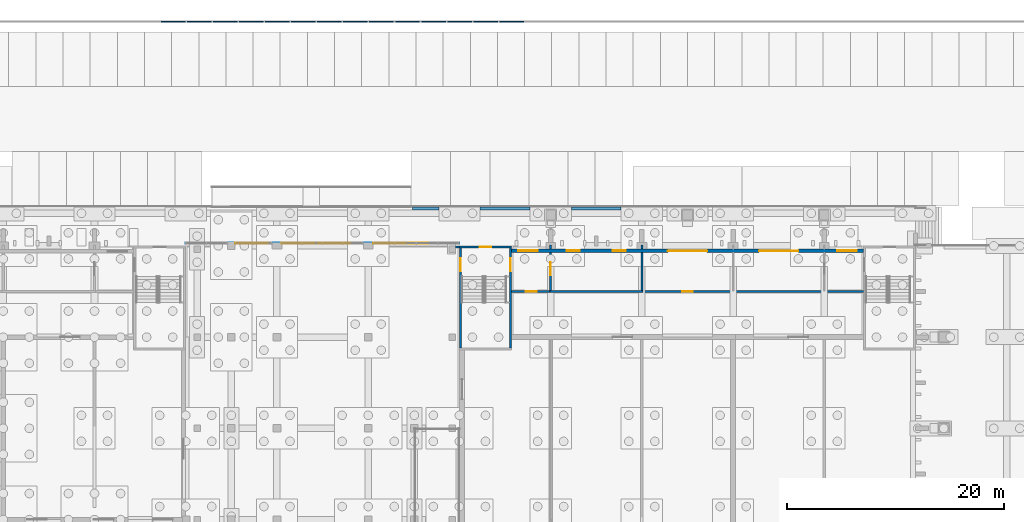
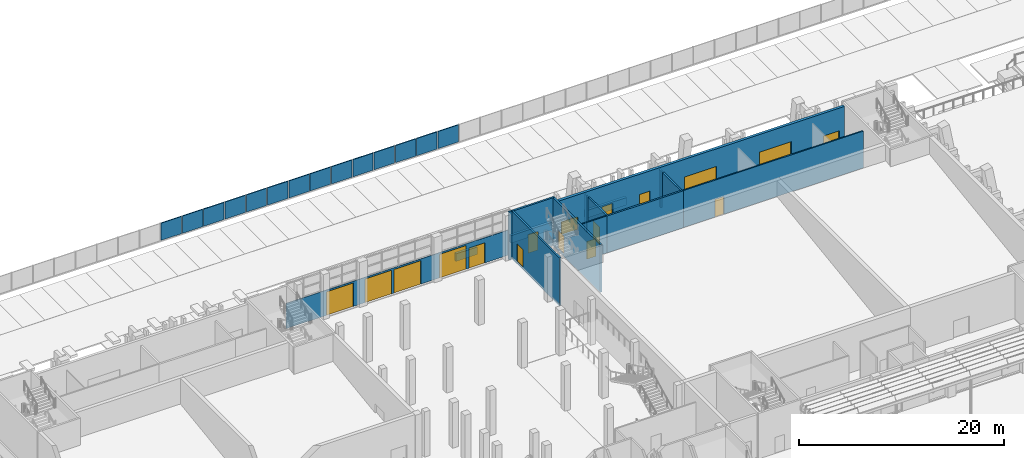
# One storey, part 51 of 129: 30 walls, 13 doors, 4 windows, 17 openings.
"""IFC4 building model written with IfcOpenShell, lengths in metres."""

import ifcopenshell
import ifcopenshell.guid

model = None  # the IFC model being written
_history = None  # IfcOwnerHistory: only IFC2X3 demands one
_inside = {}  # id of a spatial element -> (the spatial element, [elements in it])
_under = {}  # id of a project, library or spatial element -> (it, [spatial elements below it])
_declared = {}  # id of a project -> (the project, [libraries it declares])
_typed = {}  # id of a type object -> (the type object, [elements of that type])
_made_of = {}  # id of a material, layer set ... -> (it, [elements and type objects made of it])


def new_model(schema):
    """Start an empty IFC model of exactly this schema.

    Asked for "IFC4X3", IfcOpenShell would pick the latest addendum, in which some entities
    have other attributes; the version numbers below select the first issue.
    IFC2X3 requires an IfcOwnerHistory on every rooted entity: one is made here for all.
    """
    global model, _history
    if schema == "IFC4X3":
        model = ifcopenshell.file(schema_version=(4, 3, 0, 0))
    else:
        model = ifcopenshell.file(schema=schema)
    _inside.clear()
    _under.clear()
    _declared.clear()
    _typed.clear()
    _made_of.clear()
    _history = None
    if model.schema == "IFC2X3":
        org = make("IfcOrganization", Name="unknown")
        user = make(
            "IfcPersonAndOrganization",
            ThePerson=make("IfcPerson", FamilyName="unknown"),
            TheOrganization=org,
        )
        app = make(
            "IfcApplication",
            ApplicationDeveloper=org,
            Version="unknown",
            ApplicationFullName="unknown",
            ApplicationIdentifier="unknown",
        )
        _history = make(
            "IfcOwnerHistory",
            OwningUser=user,
            OwningApplication=app,
            ChangeAction="ADDED",
            CreationDate=0,
        )
    return model


def make(cls, **values):
    """One entity of the class cls with the attributes given. An attribute that is None is left unset."""
    return model.create_entity(
        cls, **{name: value for name, value in values.items() if value is not None}
    )


def rooted(cls, **values):
    """An entity with a GlobalId (a new one), such as an element, a storey or a relation."""
    return make(cls, GlobalId=ifcopenshell.guid.new(), OwnerHistory=_history, **values)


def si_unit(unit_type, name, prefix=None):
    """IfcSIUnit, for example si_unit("LENGTHUNIT", "METRE", prefix="MILLI")."""
    return make("IfcSIUnit", UnitType=unit_type, Prefix=prefix, Name=name)


def assignment(units):
    """IfcUnitAssignment: the units of a project."""
    return None if units is None else make("IfcUnitAssignment", Units=units)


def point(xyz):
    """IfcCartesianPoint."""
    return None if xyz is None else make("IfcCartesianPoint", Coordinates=xyz)


def direction(xyz):
    """IfcDirection."""
    return None if xyz is None else make("IfcDirection", DirectionRatios=xyz)


def frame(location, z_axis=None, x_axis=None):
    """IfcAxis2Placement3D, a coordinate frame: its origin and axes. An axis left out is left unset."""
    return make(
        "IfcAxis2Placement3D",
        Location=point(location),
        Axis=direction(z_axis),
        RefDirection=direction(x_axis),
    )


def frame_2d(location, x_axis=None):
    """IfcAxis2Placement2D, a coordinate frame in the plane: its origin and x axis."""
    return make(
        "IfcAxis2Placement2D", Location=point(location), RefDirection=direction(x_axis)
    )


def origin():
    """The frame at (0, 0, 0) with its axes left unset."""
    return frame((0.0, 0.0, 0.0))


def place(relative_to, where):
    """IfcLocalPlacement: puts the frame where relative to a parent placement (None: the world)."""
    return make(
        "IfcLocalPlacement", PlacementRelTo=relative_to, RelativePlacement=where
    )


def context(
    kind, dimensions, precision=None, world=None, true_north=None, identifier=None
):
    """IfcGeometricRepresentationContext, for example the 3D "Model" context."""
    return make(
        "IfcGeometricRepresentationContext",
        ContextIdentifier=identifier,
        ContextType=kind,
        CoordinateSpaceDimension=dimensions,
        Precision=precision,
        WorldCoordinateSystem=world,
        TrueNorth=true_north,
    )


def subcontext(parent, identifier, kind, view, scale=None):
    """IfcGeometricRepresentationSubContext, for example "Body" below "Model"."""
    return make(
        "IfcGeometricRepresentationSubContext",
        ContextIdentifier=identifier,
        ContextType=kind,
        ParentContext=parent,
        TargetScale=scale,
        TargetView=view,
    )


def project(units=None, contexts=None):
    """IfcProject with its units and contexts."""
    return rooted(
        "IfcProject",
        Name="project",
        RepresentationContexts=contexts,
        UnitsInContext=assignment(units),
    )


def spatial(cls, under=None, at=None, **own):
    """A site, building, storey or space (cls), placed at a placement, below another one or the project."""
    s = rooted(cls, ObjectPlacement=at, **own)
    if under is not None:
        _under.setdefault(under.id(), (under, []))[1].append(s)
    return s


def profile(cls, at=None, kind="AREA", **sizes):
    """A parametric profile (cls). Its sizes go by their IFC names, for example OverallWidth=200.0."""
    return make(cls, ProfileType=kind, Position=at, **sizes)


def rectangle(**sizes):
    """IfcRectangleProfileDef."""
    return profile("IfcRectangleProfileDef", **sizes)


def extrude(swept, where, along, depth):
    """IfcExtrudedAreaSolid: the profile swept, set in the frame where, extruded along a direction by depth."""
    return make(
        "IfcExtrudedAreaSolid",
        SweptArea=swept,
        Position=where,
        ExtrudedDirection=direction(along),
        Depth=depth,
    )


def shape(context_of_items, identifier, shape_type, items):
    """IfcShapeRepresentation: the items that make up one representation, for example the "Body"."""
    return make(
        "IfcShapeRepresentation",
        ContextOfItems=context_of_items,
        RepresentationIdentifier=identifier,
        RepresentationType=shape_type,
        Items=items,
    )


def material(Name=None, Category=None):
    """IfcMaterial."""
    return make("IfcMaterial", Name=Name, Category=Category)


def layer(
    of_material, thickness, ventilated=None, Name=None, Category=None, Priority=None
):
    """IfcMaterialLayer: one layer of a wall or slab, of a material (None: an air gap)."""
    return make(
        "IfcMaterialLayer",
        Material=of_material,
        LayerThickness=thickness,
        IsVentilated=ventilated,
        Name=Name,
        Category=Category,
        Priority=Priority,
    )


def layer_set(layers, Name=None):
    """IfcMaterialLayerSet."""
    return make("IfcMaterialLayerSet", MaterialLayers=layers, LayerSetName=Name)


def made_of(thing, what):
    """Note that an element or type object is made of a material, layer set ...; save() writes the relation."""
    if what is not None:
        _made_of.setdefault(what.id(), (what, []))[1].append(thing)
    return thing


def type_object(cls, material=None, **own):
    """A type object (cls), such as IfcWallType, which elements share."""
    return made_of(rooted(cls, **own), material)


def element(
    cls,
    number,
    at=None,
    inside=None,
    cuts=None,
    type_object=None,
    material=None,
    context=None,
    identifier="Body",
    shape_type=None,
    held_by="IfcProductDefinitionShape",
    body=None,
    shapes=None,
    **own,
):
    """One element of the class cls, such as IfcWall. Its Tag is "e" and its number.

    at: its placement. inside: the storey or other place that contains it. cuts: it is an
    opening in that element (IfcRelVoidsElement). A single representation is given by context,
    identifier, shape_type and body (its items); several are given by shapes. held_by: the class
    of the entity that holds the representations. save() writes the other relations.
    """
    e = rooted(cls, Tag="e%d" % number, ObjectPlacement=at, **own)
    if body is not None:
        shapes = [shape(context, identifier, shape_type, body)]
    if shapes is not None:
        e.Representation = make(held_by, Representations=shapes)
    if inside is not None:
        _inside.setdefault(inside.id(), (inside, []))[1].append(e)
    if cuts is not None:
        rooted(
            "IfcRelVoidsElement", RelatingBuildingElement=cuts, RelatedOpeningElement=e
        )
    if type_object is not None:
        _typed.setdefault(type_object.id(), (type_object, []))[1].append(e)
    return made_of(e, material)


def fill(opening, filler):
    """IfcRelFillsElement: the door or window that sits in an opening."""
    return rooted(
        "IfcRelFillsElement",
        RelatingOpeningElement=opening,
        RelatedBuildingElement=filler,
    )


def aggregate(whole, parts):
    """IfcRelAggregates: a whole, such as a stair, and the parts it consists of."""
    return rooted("IfcRelAggregates", RelatingObject=whole, RelatedObjects=parts)


def save(model, path):
    """Write the relations noted so far, then the file.

    IfcRelAggregates (storeys below a building ...), IfcRelContainedInSpatialStructure (elements
    in a storey), IfcRelDefinesByType, IfcRelAssociatesMaterial and IfcRelDeclares: one each for
    every whole, place, type object, material and project.
    """
    for whole, parts in _under.values():
        aggregate(whole, parts)
    for where, things in _inside.values():
        rooted(
            "IfcRelContainedInSpatialStructure",
            RelatedElements=things,
            RelatingStructure=where,
        )
    for kind, things in _typed.values():
        rooted("IfcRelDefinesByType", RelatedObjects=things, RelatingType=kind)
    for what, things in _made_of.values():
        rooted("IfcRelAssociatesMaterial", RelatedObjects=things, RelatingMaterial=what)
    for by, libraries in _declared.values():
        rooted("IfcRelDeclares", RelatingContext=by, RelatedDefinitions=libraries)
    model.write(path)


model = new_model("IFC4")

# Units and contexts
model_context = context("Model", 3, precision=1e-05, world=origin(), true_north=direction((0.0, 1.0)))
body_context = subcontext(model_context, "Body", "Model", "MODEL_VIEW")
ifc_project = project(units=[si_unit("LENGTHUNIT", "METRE"), si_unit("AREAUNIT", "SQUARE_METRE"), si_unit("VOLUMEUNIT", "CUBIC_METRE"), si_unit("PLANEANGLEUNIT", "RADIAN"), si_unit("MASSUNIT", "GRAM", prefix="KILO")], contexts=[model_context])

# Site, building, storey
site_placement = place(None, origin())
site = spatial("IfcSite", under=ifc_project, at=site_placement, CompositionType="ELEMENT")
building_placement = place(site_placement, origin())
building = spatial("IfcBuilding", under=site, at=building_placement, Name="Kiln Court Media Centre", CompositionType="ELEMENT")
storey_placement = place(building_placement, origin())
storey = spatial("IfcBuildingStorey", under=building, at=storey_placement, Name="L00", CompositionType="ELEMENT", Elevation=0.0)

# Wall
ifc_material_1 = material(Name="Concrete block masonry M10", Category="masonry")
ifc_layer_1 = layer(ifc_material_1, 0.199951171875)
ifc_layer_set_1 = layer_set([ifc_layer_1], Name="Block plant room wall 200 EI 120")
wall_type_1 = type_object("IfcWallType", Name="Block plant room wall 200 EI 120", PredefinedType="SOLIDWALL", material=ifc_layer_set_1)
wall_1_placement = place(storey_placement, frame((67.10009765625, 63.0, 0.0), z_axis=(0.0, 0.0, 1.0), x_axis=(1.0, 0.0, 0.0)))
element("IfcWall", 1, at=wall_1_placement, inside=storey, type_object=wall_type_1, Name="L00 block plant room wall", PredefinedType="SOLIDWALL", context=body_context, shape_type="SweptSolid", body=[
    extrude(rectangle(XDim=8.599853515625, YDim=0.199951171875, at=frame_2d((4.2998046875, 0.0))), origin(), (0.0, 0.0, 1.0), 4.39990234375),
])

# Wall, opening, door
wall_2_placement = place(storey_placement, frame((67.199951171875, 63.10009765625, 0.0), z_axis=(0.0, 0.0, 1.0), x_axis=(0.0, 1.0, 0.0)))
wall_2 = element("IfcWall", 2, at=wall_2_placement, inside=storey, type_object=wall_type_1, Name="L00 block plant room wall", PredefinedType="SOLIDWALL", context=body_context, shape_type="SweptSolid", body=[
    extrude(rectangle(XDim=3.5, YDim=0.199951171875, at=frame_2d((1.75, 0.0))), origin(), (0.0, 0.0, 1.0), 4.39990234375),
])
opening_1_placement = place(wall_2_placement, frame((1.39990234375, 0.0, 0.0)))
opening_1 = element("IfcOpeningElement", 3, at=opening_1_placement, cuts=wall_2, Name="Opening D0030", PredefinedType="OPENING", context=body_context, shape_type="SweptSolid", body=[
    extrude(rectangle(XDim=1.199951171875, YDim=2.10009765625, at=frame_2d((0.60009765625, 1.050048828125))), frame((0.0, 0.10986328125, 0.0), z_axis=(0.0, -1.0, 0.0), x_axis=(1.0, 0.0, 0.0)), (0.0, 0.0, 1.0), 0.219970703125),
])
ifc_material_2 = material(Name="Steel S275", Category="steel")
door_type_1 = type_object("IfcDoorType", Name="Steel plant door 1200 x 2100 FD180", OperationType="SINGLE_SWING_LEFT", PredefinedType="DOOR", material=ifc_material_2)
door_1_placement = place(opening_1_placement, origin())
door_1 = element("IfcDoor", 4, at=door_1_placement, inside=storey, type_object=door_type_1, Name="Cinema Manager Room / Cinema Plant Room", OperationType="SINGLE_SWING_LEFT", OverallHeight=2.10009765625, OverallWidth=1.199951171875, PredefinedType="DOOR", context=body_context, shape_type="SweptSolid", body=[
    extrude(rectangle(XDim=1.199951171875, YDim=2.10009765625, at=frame_2d((0.60009765625, 1.050048828125))), frame((0.0, 0.02490234375, 0.0), z_axis=(0.0, -1.0, 0.0), x_axis=(1.0, 0.0, 0.0)), (0.0, 0.0, 1.0), 0.050048828125),
])
fill(opening_1, door_1)

# Walls
wall_3_placement = place(storey_placement, frame((67.199951171875, 66.89990234375, 0.0), z_axis=(0.0, 0.0, 1.0), x_axis=(0.0, 1.0, 0.0)))
element("IfcWall", 5, at=wall_3_placement, inside=storey, type_object=wall_type_1, Name="L00 block plant room wall", PredefinedType="SOLIDWALL", context=body_context, shape_type="SweptSolid", body=[
    extrude(rectangle(XDim=0.400146484375, YDim=0.199951171875, at=frame_2d((0.2001953125, 0.0))), origin(), (0.0, 0.0, 1.0), 4.39990234375),
])
wall_4_placement = place(storey_placement, frame((75.60009765625, 63.10009765625, 0.0), z_axis=(0.0, 0.0, 1.0), x_axis=(0.0, 1.0, 0.0)))
element("IfcWall", 6, at=wall_4_placement, inside=storey, type_object=wall_type_1, Name="L00 block plant room wall", PredefinedType="SOLIDWALL", context=body_context, shape_type="SweptSolid", body=[
    extrude(rectangle(XDim=3.5, YDim=0.199951171875, at=frame_2d((1.75, 0.0))), origin(), (0.0, 0.0, 1.0), 4.39990234375),
])
wall_5_placement = place(storey_placement, frame((75.60009765625, 66.89990234375, 0.0), z_axis=(0.0, 0.0, 1.0), x_axis=(0.0, 1.0, 0.0)))
element("IfcWall", 7, at=wall_5_placement, inside=storey, type_object=wall_type_1, Name="L00 block plant room wall", PredefinedType="SOLIDWALL", context=body_context, shape_type="SweptSolid", body=[
    extrude(rectangle(XDim=0.400146484375, YDim=0.199951171875, at=frame_2d((0.2001953125, 0.0))), origin(), (0.0, 0.0, 1.0), 4.39990234375),
])
ifc_material_3 = material(Name="Concrete C30/37", Category="concrete")
ifc_layer_2 = layer(ifc_material_3, 0.300048828125)
ifc_layer_set_2 = layer_set([ifc_layer_2], Name="Concrete C30/37 plinth wall 300")
wall_type_2 = type_object("IfcWallType", Name="Concrete C30/37 plinth wall 300", PredefinedType="SOLIDWALL", material=ifc_layer_set_2)
wall_6_placement = place(storey_placement, frame((54.5, 70.64990234375, -1.199951171875), z_axis=(0.0, 0.0, 1.0), x_axis=(1.0, 0.0, 0.0)))
element("IfcWall", 8, at=wall_6_placement, inside=storey, type_object=wall_type_2, Name="L00-W-1205", PredefinedType="SOLIDWALL", context=body_context, shape_type="SweptSolid", body=[
    extrude(rectangle(XDim=2.39990234375, YDim=0.300048828125, at=frame_2d((1.199951171875, 0.0))), origin(), (0.0, 0.0, 1.0), 0.89990234375),
])
wall_7_placement = place(storey_placement, frame((60.699951171875, 70.64990234375, -1.199951171875), z_axis=(0.0, 0.0, 1.0), x_axis=(1.0, 0.0, 0.0)))
element("IfcWall", 9, at=wall_7_placement, inside=storey, type_object=wall_type_2, Name="L00-W-1206", PredefinedType="SOLIDWALL", context=body_context, shape_type="SweptSolid", body=[
    extrude(rectangle(XDim=4.60009765625, YDim=0.300048828125, at=frame_2d((2.300048828125, 0.0))), origin(), (0.0, 0.0, 1.0), 0.89990234375),
])
wall_8_placement = place(storey_placement, frame((69.10009765625, 70.64990234375, -1.199951171875), z_axis=(0.0, 0.0, 1.0), x_axis=(1.0, 0.0, 0.0)))
element("IfcWall", 10, at=wall_8_placement, inside=storey, type_object=wall_type_2, Name="L00-W-1207", PredefinedType="SOLIDWALL", context=body_context, shape_type="SweptSolid", body=[
    extrude(rectangle(XDim=4.599853515625, YDim=0.300048828125, at=frame_2d((2.2998046875, 0.0))), origin(), (0.0, 0.0, 1.0), 0.89990234375),
])

# Wall, openings, windows, doors
ifc_material_4 = material(Name="Concrete C40/50", Category="concrete")
ifc_layer_3 = layer(ifc_material_4, 0.300048828125)
ifc_layer_set_3 = layer_set([ifc_layer_3], Name="Concrete C40/50 board-marked facade wall 300")
wall_type_3 = type_object("IfcWallType", Name="Concrete C40/50 board-marked facade wall 300", PredefinedType="SOLIDWALL", material=ifc_layer_set_3)
wall_9_placement = place(storey_placement, frame((63.60009765625, 66.75, 0.0), z_axis=(0.0, 0.0, 1.0), x_axis=(1.0, 0.0, 0.0)))
wall_9 = element("IfcWall", 11, at=wall_9_placement, inside=storey, type_object=wall_type_3, Name="V1 N facade wall 4005", PredefinedType="SOLIDWALL", context=body_context, shape_type="SweptSolid", body=[
    extrude(rectangle(XDim=32.39990234375, YDim=0.300048828125, at=frame_2d((16.199951171875, 0.0))), origin(), (0.0, 0.0, 1.0), 5.10009765625),
])
opening_2_placement = place(wall_9_placement, frame((14.39990234375, 0.0, 0.0)))
opening_2 = element("IfcOpeningElement", 12, at=opening_2_placement, cuts=wall_9, Name="Opening D0765", PredefinedType="OPENING", context=body_context, shape_type="SweptSolid", body=[
    extrude(rectangle(XDim=3.60009765625, YDim=3.0, at=frame_2d((1.800048828125, 1.5))), frame((0.0, 0.159912109375, 0.0), z_axis=(0.0, -1.0, 0.0), x_axis=(1.0, 0.0, 0.0)), (0.0, 0.0, 1.0), 0.320068359375),
])
opening_3_placement = place(wall_9_placement, frame((22.800048828125, 0.0, 0.0)))
opening_3 = element("IfcOpeningElement", 13, at=opening_3_placement, cuts=wall_9, Name="Opening D0766", PredefinedType="OPENING", context=body_context, shape_type="SweptSolid", body=[
    extrude(rectangle(XDim=3.60009765625, YDim=3.0, at=frame_2d((1.800048828125, 1.5))), frame((0.0, 0.159912109375, 0.0), z_axis=(0.0, -1.0, 0.0), x_axis=(1.0, 0.0, 0.0)), (0.0, 0.0, 1.0), 0.320068359375),
])
opening_4_placement = place(wall_9_placement, frame((0.60009765625, 0.0, 0.89990234375)))
opening_4 = element("IfcOpeningElement", 14, at=opening_4_placement, cuts=wall_9, Name="Opening WN0500", PredefinedType="OPENING", context=body_context, shape_type="SweptSolid", body=[
    extrude(rectangle(XDim=1.800048828125, YDim=1.5, at=frame_2d((0.89990234375, 0.75))), frame((0.0, 0.159912109375, 0.0), z_axis=(0.0, -1.0, 0.0), x_axis=(1.0, 0.0, 0.0)), (0.0, 0.0, 1.0), 0.320068359375),
])
opening_5_placement = place(wall_9_placement, frame((5.10009765625, 0.0, 0.89990234375)))
opening_5 = element("IfcOpeningElement", 15, at=opening_5_placement, cuts=wall_9, Name="Opening WN0501", PredefinedType="OPENING", context=body_context, shape_type="SweptSolid", body=[
    extrude(rectangle(XDim=1.199951171875, YDim=1.800048828125, at=frame_2d((0.60009765625, 0.89990234375))), frame((0.0, 0.159912109375, 0.0), z_axis=(0.0, -1.0, 0.0), x_axis=(1.0, 0.0, 0.0)), (0.0, 0.0, 1.0), 0.320068359375),
])
opening_6_placement = place(wall_9_placement, frame((9.300048828125, 0.0, 0.89990234375)))
opening_6 = element("IfcOpeningElement", 16, at=opening_6_placement, cuts=wall_9, Name="Opening WN0502", PredefinedType="OPENING", context=body_context, shape_type="SweptSolid", body=[
    extrude(rectangle(XDim=1.199951171875, YDim=1.800048828125, at=frame_2d((0.60009765625, 0.89990234375))), frame((0.0, 0.159912109375, 0.0), z_axis=(0.0, -1.0, 0.0), x_axis=(1.0, 0.0, 0.0)), (0.0, 0.0, 1.0), 0.320068359375),
])
opening_7_placement = place(wall_9_placement, frame((30.0, 0.0, 0.89990234375)))
opening_7 = element("IfcOpeningElement", 17, at=opening_7_placement, cuts=wall_9, Name="Opening WN0503", PredefinedType="OPENING", context=body_context, shape_type="SweptSolid", body=[
    extrude(rectangle(XDim=1.800048828125, YDim=1.5, at=frame_2d((0.89990234375, 0.75))), frame((0.0, 0.159912109375, 0.0), z_axis=(0.0, -1.0, 0.0), x_axis=(1.0, 0.0, 0.0)), (0.0, 0.0, 1.0), 0.320068359375),
])
ifc_material_5 = material(Name="Aluminium 6063-T6", Category="aluminium")
window_type_1 = type_object("IfcWindowType", Name="Aluminium lobby window 1800x1500", PartitioningType="DOUBLE_PANEL_VERTICAL", PredefinedType="WINDOW", material=ifc_material_5)
window_1_placement = place(opening_4_placement, origin())
window_1 = element("IfcWindow", 18, at=window_1_placement, inside=storey, type_object=window_type_1, Name="V1 N admin window", OverallHeight=1.5, OverallWidth=1.800048828125, PartitioningType="SINGLE_PANEL", PredefinedType="WINDOW", context=body_context, shape_type="SweptSolid", body=[
    extrude(rectangle(XDim=1.800048828125, YDim=1.5, at=frame_2d((0.89990234375, 0.75))), frame((0.0, 0.030029296875, 0.0), z_axis=(0.0, -1.0, 0.0), x_axis=(1.0, 0.0, 0.0)), (0.0, 0.0, 1.0), 0.06005859375),
])
fill(opening_4, window_1)
window_2_placement = place(opening_7_placement, origin())
window_2 = element("IfcWindow", 19, at=window_2_placement, inside=storey, type_object=window_type_1, Name="V1 N meeting window", OverallHeight=1.5, OverallWidth=1.800048828125, PartitioningType="SINGLE_PANEL", PredefinedType="WINDOW", context=body_context, shape_type="SweptSolid", body=[
    extrude(rectangle(XDim=1.800048828125, YDim=1.5, at=frame_2d((0.89990234375, 0.75))), frame((0.0, 0.030029296875, 0.0), z_axis=(0.0, -1.0, 0.0), x_axis=(1.0, 0.0, 0.0)), (0.0, 0.0, 1.0), 0.06005859375),
])
fill(opening_7, window_2)
ifc_material_6 = material(Name="Aluminium 6063-T6", Category="aluminium")
window_type_2 = type_object("IfcWindowType", Name="Aluminium louvre 1200x1800", PartitioningType="SINGLE_PANEL", PredefinedType="WINDOW", material=ifc_material_6)
window_3_placement = place(opening_5_placement, origin())
window_3 = element("IfcWindow", 20, at=window_3_placement, inside=storey, type_object=window_type_2, Name="V1 N plant window", OverallHeight=1.800048828125, OverallWidth=1.199951171875, PartitioningType="SINGLE_PANEL", PredefinedType="WINDOW", context=body_context, shape_type="SweptSolid", body=[
    extrude(rectangle(XDim=1.199951171875, YDim=1.800048828125, at=frame_2d((0.60009765625, 0.89990234375))), frame((0.0, 0.030029296875, 0.0), z_axis=(0.0, -1.0, 0.0), x_axis=(1.0, 0.0, 0.0)), (0.0, 0.0, 1.0), 0.06005859375),
])
fill(opening_5, window_3)
window_4_placement = place(opening_6_placement, origin())
window_4 = element("IfcWindow", 21, at=window_4_placement, inside=storey, type_object=window_type_2, Name="V1 N plant window", OverallHeight=1.800048828125, OverallWidth=1.199951171875, PartitioningType="SINGLE_PANEL", PredefinedType="WINDOW", context=body_context, shape_type="SweptSolid", body=[
    extrude(rectangle(XDim=1.199951171875, YDim=1.800048828125, at=frame_2d((0.60009765625, 0.89990234375))), frame((0.0, 0.030029296875, 0.0), z_axis=(0.0, -1.0, 0.0), x_axis=(1.0, 0.0, 0.0)), (0.0, 0.0, 1.0), 0.06005859375),
])
fill(opening_6, window_4)
ifc_material_7 = material(Name="Steel ASTM A572 Gr 50", Category="steel")
door_type_2 = type_object("IfcDoorType", Name="Steel roller shutter dock door 3600x3000", OperationType="NOTDEFINED", PredefinedType="GATE", material=ifc_material_7)
door_2_placement = place(opening_2_placement, origin())
door_2 = element("IfcDoor", 22, at=door_2_placement, inside=storey, type_object=door_type_2, Name="DOCK-2 dock door", OperationType="SINGLE_SWING_LEFT", OverallHeight=3.0, OverallWidth=3.60009765625, PredefinedType="GATE", context=body_context, shape_type="SweptSolid", body=[
    extrude(rectangle(XDim=3.60009765625, YDim=3.0, at=frame_2d((1.800048828125, 1.5))), frame((0.0, 0.02490234375, 0.0), z_axis=(0.0, -1.0, 0.0), x_axis=(1.0, 0.0, 0.0)), (0.0, 0.0, 1.0), 0.050048828125),
])
fill(opening_2, door_2)
door_3_placement = place(opening_3_placement, origin())
door_3 = element("IfcDoor", 23, at=door_3_placement, inside=storey, type_object=door_type_2, Name="DOCK-3 dock door", OperationType="SINGLE_SWING_LEFT", OverallHeight=3.0, OverallWidth=3.60009765625, PredefinedType="GATE", context=body_context, shape_type="SweptSolid", body=[
    extrude(rectangle(XDim=3.60009765625, YDim=3.0, at=frame_2d((1.800048828125, 1.5))), frame((0.0, 0.02490234375, 0.0), z_axis=(0.0, -1.0, 0.0), x_axis=(1.0, 0.0, 0.0)), (0.0, 0.0, 1.0), 0.050048828125),
])
fill(opening_3, door_3)

# Wall, opening, door
ifc_material_8 = material(Name="Concrete C40/50", Category="concrete")
ifc_layer_4 = layer(ifc_material_8, 0.199951171875)
ifc_layer_set_4 = layer_set([ifc_layer_4], Name="Concrete C40/50 shear wall 200")
wall_type_4 = type_object("IfcWallType", Name="Concrete C40/50 shear wall 200", PredefinedType="SHEAR", material=ifc_layer_set_4)
wall_10_placement = place(storey_placement, frame((58.800048828125, 67.10009765625, -0.300048828125), z_axis=(0.0, 0.0, 1.0), x_axis=(1.0, 0.0, 0.0)))
wall_10 = element("IfcWall", 24, at=wall_10_placement, inside=storey, type_object=wall_type_4, Name="L00-W-1041", PredefinedType="SHEAR", context=body_context, shape_type="SweptSolid", body=[
    extrude(rectangle(XDim=4.800048828125, YDim=0.199951171875, at=frame_2d((2.39990234375, 0.0))), origin(), (0.0, 0.0, 1.0), 5.699951171875),
])
opening_8_placement = place(wall_10_placement, frame((1.85009765625, 0.0, 0.0)))
opening_8 = element("IfcOpeningElement", 25, at=opening_8_placement, cuts=wall_10, Name="Opening D0763", PredefinedType="OPENING", context=body_context, shape_type="SweptSolid", body=[
    extrude(rectangle(XDim=1.10009765625, YDim=2.199951171875, at=frame_2d((0.550048828125, 1.10009765625))), frame((0.0, 0.10986328125, 0.0), z_axis=(0.0, -1.0, 0.0), x_axis=(1.0, 0.0, 0.0)), (0.0, 0.0, 1.0), 0.219970703125),
])
ifc_material_9 = material(Name="Steel ASTM A572 Gr 50", Category="steel")
door_type_3 = type_object("IfcDoorType", Name="Steel hall exit door 1100x2200", OperationType="SINGLE_SWING_LEFT", PredefinedType="DOOR", material=ifc_material_9)
door_4_placement = place(opening_8_placement, origin())
door_4 = element("IfcDoor", 26, at=door_4_placement, inside=storey, type_object=door_type_3, Name="ST-11 exit door", OperationType="SLIDING_TO_LEFT", OverallHeight=2.199951171875, OverallWidth=1.10009765625, PredefinedType="DOOR", context=body_context, shape_type="SweptSolid", body=[
    extrude(rectangle(XDim=1.10009765625, YDim=2.199951171875, at=frame_2d((0.550048828125, 1.10009765625))), frame((0.0, 0.02490234375, 0.0), z_axis=(0.0, -1.0, 0.0), x_axis=(1.0, 0.0, 0.0)), (0.0, 0.0, 1.0), 0.050048828125),
])
fill(opening_8, door_4)

wall_11_placement = place(storey_placement, frame((58.89990234375, 57.800048828125, -0.300048828125), z_axis=(0.0, 0.0, 1.0), x_axis=(0.0, 1.0, 0.0)))
wall_11 = element("IfcWall", 27, at=wall_11_placement, inside=storey, type_object=wall_type_4, Name="L00-W-1042", PredefinedType="SHEAR", context=body_context, shape_type="SweptSolid", body=[
    extrude(rectangle(XDim=9.199951171875, YDim=0.199951171875, at=frame_2d((4.60009765625, 0.0))), origin(), (0.0, 0.0, 1.0), 5.699951171875),
])
opening_9_placement = place(wall_11_placement, frame((7.050048828125, 0.0, 0.300048828125)))
opening_9 = element("IfcOpeningElement", 28, at=opening_9_placement, cuts=wall_11, Name="Opening D0004", PredefinedType="OPENING", context=body_context, shape_type="SweptSolid", body=[
    extrude(rectangle(XDim=1.199951171875, YDim=2.10009765625, at=frame_2d((0.60009765625, 1.050048828125))), frame((0.0, 0.10986328125, 0.0), z_axis=(0.0, -1.0, 0.0), x_axis=(1.0, 0.0, 0.0)), (0.0, 0.0, 1.0), 0.219970703125),
])
ifc_material_10 = material(Name="Steel S275", Category="steel")
door_type_4 = type_object("IfcDoorType", Name="Steel stair door 1200 x 2100 FD180", OperationType="SINGLE_SWING_LEFT", PredefinedType="DOOR", material=ifc_material_10)
door_5_placement = place(opening_9_placement, origin())
door_5 = element("IfcDoor", 29, at=door_5_placement, inside=storey, type_object=door_type_4, Name="Great Foyer / Stair 11", OperationType="SINGLE_SWING_RIGHT", OverallHeight=2.10009765625, OverallWidth=1.199951171875, PredefinedType="DOOR", context=body_context, shape_type="SweptSolid", body=[
    extrude(rectangle(XDim=1.199951171875, YDim=2.10009765625, at=frame_2d((0.60009765625, 1.050048828125))), frame((0.0, 0.02490234375, 0.0), z_axis=(0.0, -1.0, 0.0), x_axis=(1.0, 0.0, 0.0)), (0.0, 0.0, 1.0), 0.050048828125),
])
fill(opening_9, door_5)

wall_12_placement = place(storey_placement, frame((63.5, 67.0, -0.300048828125), z_axis=(0.0, 0.0, 1.0), x_axis=(0.0, -1.0, 0.0)))
wall_12 = element("IfcWall", 30, at=wall_12_placement, inside=storey, type_object=wall_type_4, Name="L00-W-1043", PredefinedType="SHEAR", context=body_context, shape_type="SweptSolid", body=[
    extrude(rectangle(XDim=9.199951171875, YDim=0.199951171875, at=frame_2d((4.60009765625, 0.0))), origin(), (0.0, 0.0, 1.0), 5.699951171875),
])
opening_10_placement = place(wall_12_placement, frame((0.949951171875, 0.0, 0.300048828125)))
opening_10 = element("IfcOpeningElement", 31, at=opening_10_placement, cuts=wall_12, Name="Opening D0005", PredefinedType="OPENING", context=body_context, shape_type="SweptSolid", body=[
    extrude(rectangle(XDim=1.199951171875, YDim=2.10009765625, at=frame_2d((0.60009765625, 1.050048828125))), frame((0.0, 0.10986328125, 0.0), z_axis=(0.0, -1.0, 0.0), x_axis=(1.0, 0.0, 0.0)), (0.0, 0.0, 1.0), 0.219970703125),
])
door_6_placement = place(opening_10_placement, origin())
door_6 = element("IfcDoor", 32, at=door_6_placement, inside=storey, type_object=door_type_4, Name="Stair 11 / Cinema Manager Room", OperationType="SINGLE_SWING_RIGHT", OverallHeight=2.10009765625, OverallWidth=1.199951171875, PredefinedType="DOOR", context=body_context, shape_type="SweptSolid", body=[
    extrude(rectangle(XDim=1.199951171875, YDim=2.10009765625, at=frame_2d((0.60009765625, 1.050048828125))), frame((0.0, 0.02490234375, 0.0), z_axis=(0.0, -1.0, 0.0), x_axis=(1.0, 0.0, 0.0)), (0.0, 0.0, 1.0), 0.050048828125),
])
fill(opening_10, door_6)

# Wall
wall_13_placement = place(storey_placement, frame((58.449951171875, 67.10009765625, -0.300048828125), z_axis=(0.0, 0.0, 1.0), x_axis=(1.0, 0.0, 0.0)))
element("IfcWall", 33, at=wall_13_placement, inside=storey, type_object=wall_type_4, Name="L00-W-1155", PredefinedType="SHEAR", context=body_context, shape_type="SweptSolid", body=[
    extrude(rectangle(XDim=0.35009765625, YDim=0.199951171875, at=frame_2d((0.175048828125, 0.0))), origin(), (0.0, 0.0, 1.0), 5.699951171875),
])

# Wall, openings, doors
ifc_material_11 = material(Name="Laminated low-E glazing", Category="glass")
ifc_layer_5 = layer(ifc_material_11, 0.080078125)
ifc_layer_set_5 = layer_set([ifc_layer_5], Name="Glazed shopfront wall 80")
wall_type_5 = type_object("IfcWallType", Name="Glazed shopfront wall 80", PredefinedType="MOVABLE", material=ifc_layer_set_5)
wall_14_placement = place(storey_placement, frame((33.60009765625, 67.444580078125, 0.0), z_axis=(0.0, 0.0, 1.0), x_axis=(1.0, 0.0, 0.0)))
wall_14 = element("IfcWall", 34, at=wall_14_placement, inside=storey, type_object=wall_type_5, Name="Foyer north shopfront", PredefinedType="MOVABLE", context=body_context, shape_type="SweptSolid", body=[
    extrude(rectangle(XDim=25.199951171875, YDim=0.080078125, at=frame_2d((12.60009765625, 0.0))), origin(), (0.0, 0.0, 1.0), 3.0),
])
opening_11_placement = place(wall_14_placement, frame((4.550048828125, 0.0, 0.0)))
opening_11 = element("IfcOpeningElement", 35, at=opening_11_placement, cuts=wall_14, Name="Opening D0750", PredefinedType="OPENING", context=body_context, shape_type="SweptSolid", body=[
    extrude(rectangle(XDim=3.0, YDim=2.800048828125, at=frame_2d((1.5, 1.39990234375))), frame((0.0, 0.050048828125, 0.0), z_axis=(0.0, -1.0, 0.0), x_axis=(1.0, 0.0, 0.0)), (0.0, 0.0, 1.0), 0.10009765625),
])
opening_12_placement = place(wall_14_placement, frame((8.85009765625, 0.0, 0.0)))
opening_12 = element("IfcOpeningElement", 36, at=opening_12_placement, cuts=wall_14, Name="Opening D0751", PredefinedType="OPENING", context=body_context, shape_type="SweptSolid", body=[
    extrude(rectangle(XDim=3.0, YDim=2.800048828125, at=frame_2d((1.5, 1.39990234375))), frame((0.0, 0.050048828125, 0.0), z_axis=(0.0, -1.0, 0.0), x_axis=(1.0, 0.0, 0.0)), (0.0, 0.0, 1.0), 0.10009765625),
])
opening_13_placement = place(wall_14_placement, frame((12.14990234375, 0.0, 0.0)))
opening_13 = element("IfcOpeningElement", 37, at=opening_13_placement, cuts=wall_14, Name="Opening D0752", PredefinedType="OPENING", context=body_context, shape_type="SweptSolid", body=[
    extrude(rectangle(XDim=3.0, YDim=2.800048828125, at=frame_2d((1.5, 1.39990234375))), frame((0.0, 0.050048828125, 0.0), z_axis=(0.0, -1.0, 0.0), x_axis=(1.0, 0.0, 0.0)), (0.0, 0.0, 1.0), 0.10009765625),
])
opening_14_placement = place(wall_14_placement, frame((17.25, 0.0, 0.0)))
opening_14 = element("IfcOpeningElement", 38, at=opening_14_placement, cuts=wall_14, Name="Opening D0753", PredefinedType="OPENING", context=body_context, shape_type="SweptSolid", body=[
    extrude(rectangle(XDim=3.0, YDim=2.800048828125, at=frame_2d((1.5, 1.39990234375))), frame((0.0, 0.050048828125, 0.0), z_axis=(0.0, -1.0, 0.0), x_axis=(1.0, 0.0, 0.0)), (0.0, 0.0, 1.0), 0.10009765625),
])
opening_15_placement = place(wall_14_placement, frame((20.550048828125, 0.0, 0.0)))
opening_15 = element("IfcOpeningElement", 39, at=opening_15_placement, cuts=wall_14, Name="Opening D0754", PredefinedType="OPENING", context=body_context, shape_type="SweptSolid", body=[
    extrude(rectangle(XDim=1.800048828125, YDim=2.39990234375, at=frame_2d((0.89990234375, 1.199951171875))), frame((0.0, 0.050048828125, 0.0), z_axis=(0.0, -1.0, 0.0), x_axis=(1.0, 0.0, 0.0)), (0.0, 0.0, 1.0), 0.10009765625),
])
ifc_material_12 = material(Name="Aluminium 6063-T6", Category="aluminium")
door_type_5 = type_object("IfcDoorType", Name="Aluminium hall entrance door 1800x2400", OperationType="DOUBLE_DOOR_DOUBLE_SWING", PredefinedType="DOOR", material=ifc_material_12)
door_7_placement = place(opening_15_placement, origin())
door_7 = element("IfcDoor", 40, at=door_7_placement, inside=storey, type_object=door_type_5, Name="Foyer north entrance 5", OperationType="DOUBLE_DOOR_DOUBLE_SWING", OverallHeight=2.39990234375, OverallWidth=1.800048828125, PredefinedType="DOOR", context=body_context, shape_type="SweptSolid", body=[
    extrude(rectangle(XDim=1.800048828125, YDim=2.39990234375, at=frame_2d((0.89990234375, 1.199951171875))), frame((0.0, 0.02490234375, 0.0), z_axis=(0.0, -1.0, 0.0), x_axis=(1.0, 0.0, 0.0)), (0.0, 0.0, 1.0), 0.050048828125),
])
fill(opening_15, door_7)
ifc_material_13 = material(Name="Aluminium 6063-T6", Category="aluminium")
door_type_6 = type_object("IfcDoorType", Name="Aluminium hall entrance door 3000x2800", OperationType="DOUBLE_DOOR_DOUBLE_SWING", PredefinedType="DOOR", material=ifc_material_13)
door_8_placement = place(opening_11_placement, origin())
door_8 = element("IfcDoor", 41, at=door_8_placement, inside=storey, type_object=door_type_6, Name="Foyer north entrance 1", OperationType="DOUBLE_DOOR_DOUBLE_SWING", OverallHeight=2.800048828125, OverallWidth=3.0, PredefinedType="DOOR", context=body_context, shape_type="SweptSolid", body=[
    extrude(rectangle(XDim=3.0, YDim=2.800048828125, at=frame_2d((1.5, 1.39990234375))), frame((0.0, 0.02490234375, 0.0), z_axis=(0.0, -1.0, 0.0), x_axis=(1.0, 0.0, 0.0)), (0.0, 0.0, 1.0), 0.050048828125),
])
fill(opening_11, door_8)
door_9_placement = place(opening_12_placement, origin())
door_9 = element("IfcDoor", 42, at=door_9_placement, inside=storey, type_object=door_type_6, Name="Foyer north entrance 2", OperationType="DOUBLE_DOOR_DOUBLE_SWING", OverallHeight=2.800048828125, OverallWidth=3.0, PredefinedType="DOOR", context=body_context, shape_type="SweptSolid", body=[
    extrude(rectangle(XDim=3.0, YDim=2.800048828125, at=frame_2d((1.5, 1.39990234375))), frame((0.0, 0.02490234375, 0.0), z_axis=(0.0, -1.0, 0.0), x_axis=(1.0, 0.0, 0.0)), (0.0, 0.0, 1.0), 0.050048828125),
])
fill(opening_12, door_9)
door_10_placement = place(opening_13_placement, origin())
door_10 = element("IfcDoor", 43, at=door_10_placement, inside=storey, type_object=door_type_6, Name="Foyer north entrance 3", OperationType="DOUBLE_DOOR_DOUBLE_SWING", OverallHeight=2.800048828125, OverallWidth=3.0, PredefinedType="DOOR", context=body_context, shape_type="SweptSolid", body=[
    extrude(rectangle(XDim=3.0, YDim=2.800048828125, at=frame_2d((1.5, 1.39990234375))), frame((0.0, 0.02490234375, 0.0), z_axis=(0.0, -1.0, 0.0), x_axis=(1.0, 0.0, 0.0)), (0.0, 0.0, 1.0), 0.050048828125),
])
fill(opening_13, door_10)
door_11_placement = place(opening_14_placement, origin())
door_11 = element("IfcDoor", 44, at=door_11_placement, inside=storey, type_object=door_type_6, Name="Foyer north entrance 4", OperationType="DOUBLE_DOOR_DOUBLE_SWING", OverallHeight=2.800048828125, OverallWidth=3.0, PredefinedType="DOOR", context=body_context, shape_type="SweptSolid", body=[
    extrude(rectangle(XDim=3.0, YDim=2.800048828125, at=frame_2d((1.5, 1.39990234375))), frame((0.0, 0.02490234375, 0.0), z_axis=(0.0, -1.0, 0.0), x_axis=(1.0, 0.0, 0.0)), (0.0, 0.0, 1.0), 0.050048828125),
])
fill(opening_14, door_11)

# Wall, opening, door
ifc_material_14 = material(Name="Gypsum plasterboard", Category="gypsum")
ifc_layer_6 = layer(ifc_material_14, 0.14990234375)
ifc_layer_set_6 = layer_set([ifc_layer_6], Name="Gypsum corridor partition 150 EI 60")
wall_type_6 = type_object("IfcWallType", Name="Gypsum corridor partition 150 EI 60", PredefinedType="PARTITIONING", material=ifc_layer_set_6)
wall_15_placement = place(storey_placement, frame((63.60009765625, 63.0, 0.0), z_axis=(0.0, 0.0, 1.0), x_axis=(1.0, 0.0, 0.0)))
wall_15 = element("IfcWall", 45, at=wall_15_placement, inside=storey, type_object=wall_type_6, Name="L00 gypsum corridor partition", PredefinedType="PARTITIONING", context=body_context, shape_type="SweptSolid", body=[
    extrude(rectangle(XDim=3.5, YDim=0.14990234375, at=frame_2d((1.75, 0.0))), origin(), (0.0, 0.0, 1.0), 4.39990234375),
])
opening_16_placement = place(wall_15_placement, frame((1.300048828125, 0.0, 0.0)))
opening_16 = element("IfcOpeningElement", 46, at=opening_16_placement, cuts=wall_15, Name="Opening D0029", PredefinedType="OPENING", context=body_context, shape_type="SweptSolid", body=[
    extrude(rectangle(XDim=1.0, YDim=2.10009765625, at=frame_2d((0.5, 1.050048828125))), frame((0.0, 0.0849609375, 0.0), z_axis=(0.0, -1.0, 0.0), x_axis=(1.0, 0.0, 0.0)), (0.0, 0.0, 1.0), 0.169921875),
])
ifc_material_15 = material(Name="Steel S275", Category="steel")
door_type_7 = type_object("IfcDoorType", Name="Steel corridor door 1000 x 2100 FD30S", OperationType="SINGLE_SWING_LEFT", PredefinedType="DOOR", material=ifc_material_15)
door_12_placement = place(opening_16_placement, origin())
door_12 = element("IfcDoor", 47, at=door_12_placement, inside=storey, type_object=door_type_7, Name="Rear Exit Lobby / Cinema Manager Room", OperationType="SINGLE_SWING_RIGHT", OverallHeight=2.10009765625, OverallWidth=1.0, PredefinedType="DOOR", context=body_context, shape_type="SweptSolid", body=[
    extrude(rectangle(XDim=1.0, YDim=2.10009765625, at=frame_2d((0.5, 1.050048828125))), frame((0.0, 0.02490234375, 0.0), z_axis=(0.0, -1.0, 0.0), x_axis=(1.0, 0.0, 0.0)), (0.0, 0.0, 1.0), 0.050048828125),
])
fill(opening_16, door_12)

wall_16_placement = place(storey_placement, frame((75.699951171875, 63.0, 0.0), z_axis=(0.0, 0.0, 1.0), x_axis=(1.0, 0.0, 0.0)))
wall_16 = element("IfcWall", 48, at=wall_16_placement, inside=storey, type_object=wall_type_6, Name="L00 gypsum corridor partition", PredefinedType="PARTITIONING", context=body_context, shape_type="SweptSolid", body=[
    extrude(rectangle(XDim=20.300048828125, YDim=0.14990234375, at=frame_2d((10.14990234375, 0.0))), origin(), (0.0, 0.0, 1.0), 4.39990234375),
])
opening_17_placement = place(wall_16_placement, frame((3.60009765625, 0.0, 0.0)))
opening_17 = element("IfcOpeningElement", 49, at=opening_17_placement, cuts=wall_16, Name="Opening D0055", PredefinedType="OPENING", context=body_context, shape_type="SweptSolid", body=[
    extrude(rectangle(XDim=1.0, YDim=2.10009765625, at=frame_2d((0.5, 1.050048828125))), frame((0.0, 0.0849609375, 0.0), z_axis=(0.0, -1.0, 0.0), x_axis=(1.0, 0.0, 0.0)), (0.0, 0.0, 1.0), 0.169921875),
])
door_13_placement = place(opening_17_placement, origin())
door_13 = element("IfcDoor", 50, at=door_13_placement, inside=storey, type_object=door_type_7, Name="Rear Exit Lobby / Cinema Store", OperationType="SINGLE_SWING_RIGHT", OverallHeight=2.10009765625, OverallWidth=1.0, PredefinedType="DOOR", context=body_context, shape_type="SweptSolid", body=[
    extrude(rectangle(XDim=1.0, YDim=2.10009765625, at=frame_2d((0.5, 1.050048828125))), frame((0.0, 0.02490234375, 0.0), z_axis=(0.0, -1.0, 0.0), x_axis=(1.0, 0.0, 0.0)), (0.0, 0.0, 1.0), 0.050048828125),
])
fill(opening_17, door_13)

# Walls
ifc_material_16 = material(Name="Steel ASTM A572 Gr 50", Category="steel")
ifc_layer_7 = layer(ifc_material_16, 0.10009765625)
ifc_layer_set_7 = layer_set([ifc_layer_7], Name="Steel ASTM A572 Gr 50 palisade fence panel 100")
wall_type_7 = type_object("IfcWallType", Name="Steel ASTM A572 Gr 50 palisade fence panel 100", PredefinedType="SOLIDWALL", material=ifc_layer_set_7)
for number, where, z_axis, x_axis, name in (
    (51, (31.283203125, 87.85009765625, -1.050048828125), (0.0, 0.0, 1.0), (1.0, 0.0, 0.0), "Boundary palisade fence panel 12"),
    (52, (33.681640625, 87.85009765625, -1.050048828125), (0.0, 0.0, 1.0), (1.0, 0.0, 0.0), "Boundary palisade fence panel 13"),
    (53, (36.080078125, 87.85009765625, -1.050048828125), (0.0, 0.0, 1.0), (1.0, 0.0, 0.0), "Boundary palisade fence panel 14"),
):
    element("IfcWall", number, at=place(storey_placement, frame(where, z_axis=z_axis, x_axis=x_axis)), inside=storey, type_object=wall_type_7, Name=name, PredefinedType="SOLIDWALL", context=body_context, shape_type="SweptSolid", body=[
        extrude(rectangle(XDim=2.298583984375, YDim=0.10009765625, at=frame_2d((1.1494140625, 0.0))), origin(), (0.0, 0.0, 1.0), 2.050048828125),
    ])
wall_17_placement = place(storey_placement, frame((38.478759765625, 87.85009765625, -1.050048828125), z_axis=(0.0, 0.0, 1.0), x_axis=(1.0, 0.0, 0.0)))
element("IfcWall", 54, at=wall_17_placement, inside=storey, type_object=wall_type_7, Name="Boundary palisade fence panel 15", PredefinedType="SOLIDWALL", context=body_context, shape_type="SweptSolid", body=[
    extrude(rectangle(XDim=2.29833984375, YDim=0.10009765625, at=frame_2d((1.149169921875, 0.0))), origin(), (0.0, 0.0, 1.0), 2.050048828125),
])
for number, where, z_axis, x_axis, name in (
    (55, (40.877197265625, 87.85009765625, -1.050048828125), (0.0, 0.0, 1.0), (1.0, 0.0, 0.0), "Boundary palisade fence panel 16"),
    (56, (43.275634765625, 87.85009765625, -1.050048828125), (0.0, 0.0, 1.0), (1.0, 0.0, 0.0), "Boundary palisade fence panel 17"),
    (57, (45.674072265625, 87.85009765625, -1.050048828125), (0.0, 0.0, 1.0), (1.0, 0.0, 0.0), "Boundary palisade fence panel 18"),
    (58, (48.072509765625, 87.85009765625, -1.050048828125), (0.0, 0.0, 1.0), (1.0, 0.0, 0.0), "Boundary palisade fence panel 19"),
):
    element("IfcWall", number, at=place(storey_placement, frame(where, z_axis=z_axis, x_axis=x_axis)), inside=storey, type_object=wall_type_7, Name=name, PredefinedType="SOLIDWALL", context=body_context, shape_type="SweptSolid", body=[
        extrude(rectangle(XDim=2.298583984375, YDim=0.10009765625, at=frame_2d((1.1494140625, 0.0))), origin(), (0.0, 0.0, 1.0), 2.050048828125),
    ])
wall_18_placement = place(storey_placement, frame((50.47119140625, 87.85009765625, -1.050048828125), z_axis=(0.0, 0.0, 1.0), x_axis=(1.0, 0.0, 0.0)))
element("IfcWall", 59, at=wall_18_placement, inside=storey, type_object=wall_type_7, Name="Boundary palisade fence panel 20", PredefinedType="SOLIDWALL", context=body_context, shape_type="SweptSolid", body=[
    extrude(rectangle(XDim=2.29833984375, YDim=0.10009765625, at=frame_2d((1.149169921875, 0.0))), origin(), (0.0, 0.0, 1.0), 2.050048828125),
])
for number, where, z_axis, x_axis, name in (
    (60, (52.86962890625, 87.85009765625, -1.050048828125), (0.0, 0.0, 1.0), (1.0, 0.0, 0.0), "Boundary palisade fence panel 21"),
    (61, (55.26806640625, 87.85009765625, -1.050048828125), (0.0, 0.0, 1.0), (1.0, 0.0, 0.0), "Boundary palisade fence panel 22"),
    (62, (57.66650390625, 87.85009765625, -1.050048828125), (0.0, 0.0, 1.0), (1.0, 0.0, 0.0), "Boundary palisade fence panel 23"),
):
    element("IfcWall", number, at=place(storey_placement, frame(where, z_axis=z_axis, x_axis=x_axis)), inside=storey, type_object=wall_type_7, Name=name, PredefinedType="SOLIDWALL", context=body_context, shape_type="SweptSolid", body=[
        extrude(rectangle(XDim=2.298583984375, YDim=0.10009765625, at=frame_2d((1.1494140625, 0.0))), origin(), (0.0, 0.0, 1.0), 2.050048828125),
    ])
wall_19_placement = place(storey_placement, frame((60.065185546875, 87.85009765625, -1.050048828125), z_axis=(0.0, 0.0, 1.0), x_axis=(1.0, 0.0, 0.0)))
element("IfcWall", 63, at=wall_19_placement, inside=storey, type_object=wall_type_7, Name="Boundary palisade fence panel 24", PredefinedType="SOLIDWALL", context=body_context, shape_type="SweptSolid", body=[
    extrude(rectangle(XDim=2.29833984375, YDim=0.10009765625, at=frame_2d((1.149169921875, 0.0))), origin(), (0.0, 0.0, 1.0), 2.050048828125),
])
wall_20_placement = place(storey_placement, frame((62.463623046875, 87.85009765625, -1.050048828125), z_axis=(0.0, 0.0, 1.0), x_axis=(1.0, 0.0, 0.0)))
element("IfcWall", 64, at=wall_20_placement, inside=storey, type_object=wall_type_7, Name="Boundary palisade fence panel 25", PredefinedType="SOLIDWALL", context=body_context, shape_type="SweptSolid", body=[
    extrude(rectangle(XDim=2.298583984375, YDim=0.10009765625, at=frame_2d((1.1494140625, 0.0))), origin(), (0.0, 0.0, 1.0), 2.050048828125),
])

save(model, "model.ifc")
